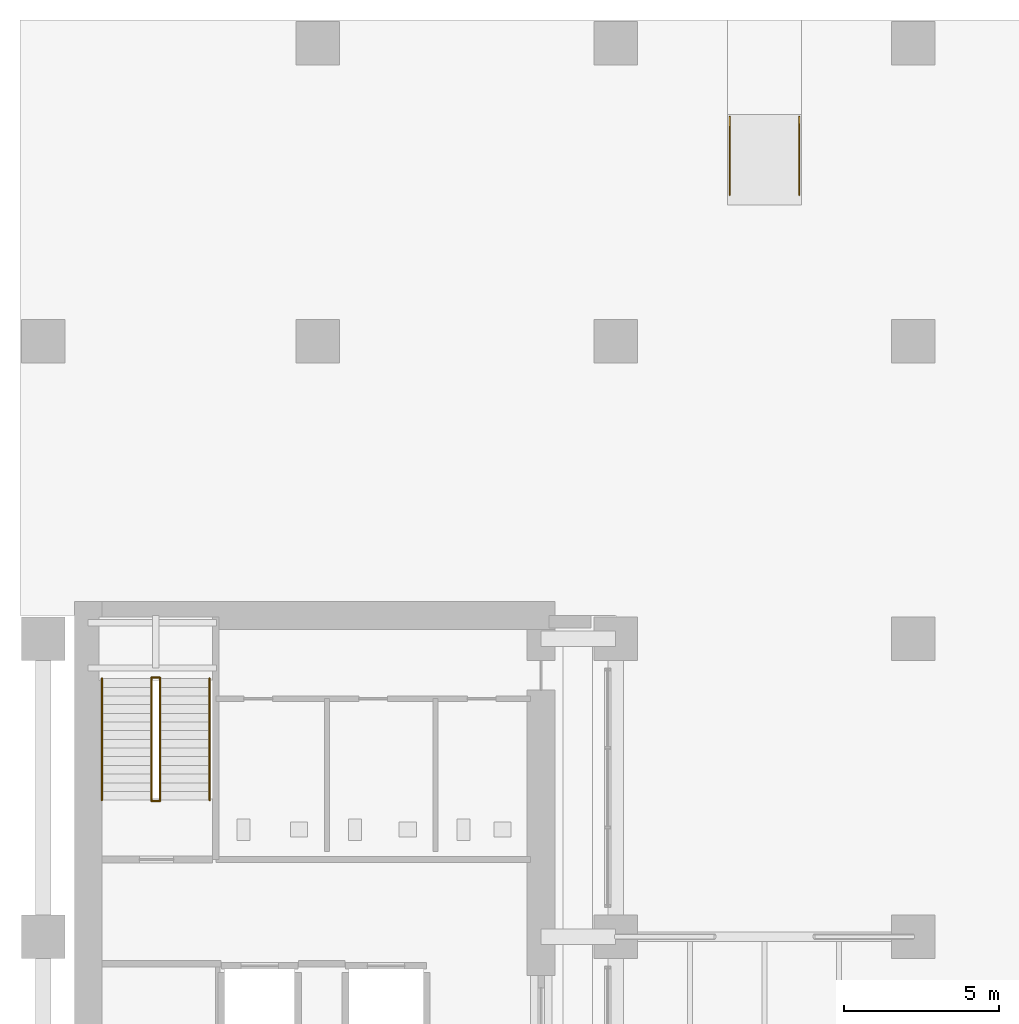
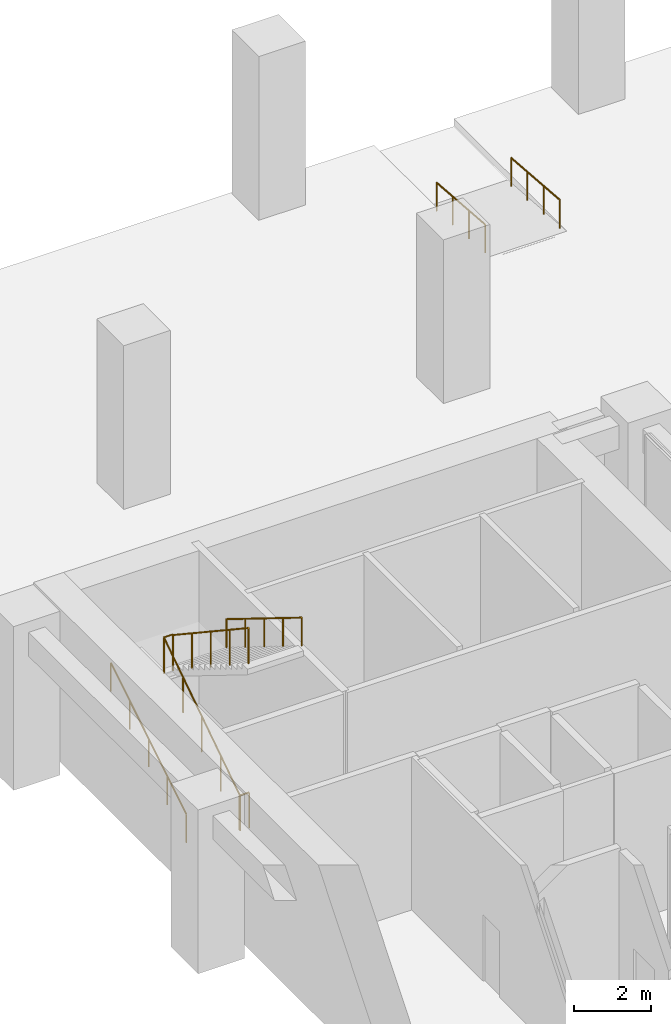
# One storey, part 19 of 24: 8 railings.
"""IFC4 building model written with IfcOpenShell, lengths in metres."""

from ifc_helpers import new_model, si_unit, direction, frame, origin, origin_2d, place, context, subcontext, project, spatial, circle, extrude, material, type_object, element, save


model = new_model("IFC4")

# Units and contexts
model_context = context("Model", 3, precision=1e-05, world=origin(), true_north=direction((0.0, 1.0)))
body_context = subcontext(model_context, "Body", "Model", "MODEL_VIEW")
ifc_project = project(units=[si_unit("LENGTHUNIT", "METRE"), si_unit("AREAUNIT", "SQUARE_METRE"), si_unit("VOLUMEUNIT", "CUBIC_METRE"), si_unit("PLANEANGLEUNIT", "RADIAN"), si_unit("MASSUNIT", "GRAM", prefix="KILO")], contexts=[model_context])

# Site, building, storey
site_placement = place(None, origin())
site = spatial("IfcSite", under=ifc_project, at=site_placement, CompositionType="ELEMENT")
building_placement = place(site_placement, origin())
building = spatial("IfcBuilding", under=site, at=building_placement, Name="Norrvale University Quadrangle", CompositionType="ELEMENT")
storey_placement = place(building_placement, origin())
storey = spatial("IfcBuildingStorey", under=building, at=storey_placement, Name="L00", CompositionType="ELEMENT", Elevation=0.0)

# Railings
ifc_material_1 = material(Name="Steel 350W Painted Balustrade", Category="steel")
railing_type_1 = type_object("IfcRailingType", Name="Railing Stair Guard 1100", PredefinedType="GUARDRAIL", material=ifc_material_1)
for number, where, name in (
    (1, (4.239990234375, 42.02001953125, 0.0), "Stair Floor Well Guard ST-02 L00"),
    (2, (4.239990234375, 46.0, 2.60009765625), "Stair Mid-Landing Slot Guard ST-02 L00"),
):
    element("IfcRailing", number, at=place(storey_placement, frame(where)), inside=storey, type_object=railing_type_1, Name=name, PredefinedType="GUARDRAIL", context=body_context, shape_type="SweptSolid", body=[
        extrude(circle(Radius=0.02392578125, at=origin_2d()), frame((0.0, 0.0, 1.1259765625), z_axis=(1.0, 0.0, 0.0), x_axis=(0.0, 1.0, 0.0)), (0.0, 0.0, 1.0), 0.27001953125),
        extrude(circle(Radius=0.02099609375, at=origin_2d()), origin(), (0.0, 0.0, 1.0), 1.101806640625),
        extrude(circle(Radius=0.02099609375, at=origin_2d()), frame((0.27001953125, 0.0, 0.0)), (0.0, 0.0, 1.0), 1.101806640625),
    ])
railing_1_placement = place(storey_placement, frame((4.239990234375, 42.050048828125, 0.0)))
element("IfcRailing", 3, at=railing_1_placement, inside=storey, type_object=railing_type_1, Name="Stair Lower Flight Inner Guard ST-02 L00", PredefinedType="GUARDRAIL", context=body_context, shape_type="SweptSolid", body=[
    extrude(circle(Radius=0.02392578125, at=origin_2d()), frame((0.0, 0.0, 1.1259765625), z_axis=(0.0, 0.833341594215, 0.552758344444), x_axis=(-1.0, 0.0, 0.0)), (0.0, 0.0, 1.0), 4.703857421875),
    extrude(circle(Radius=0.02099609375, at=origin_2d()), origin(), (0.0, 0.0, 1.0), 1.101806640625),
    extrude(circle(Radius=0.02099609375, at=origin_2d()), frame((0.0, 0.97998046875, 0.64990234375)), (0.0, 0.0, 1.0), 1.101806640625),
    extrude(circle(Radius=0.02099609375, at=origin_2d()), frame((0.0, 1.9599609375, 1.300048828125)), (0.0, 0.0, 1.0), 1.101806640625),
    extrude(circle(Radius=0.02099609375, at=origin_2d()), frame((0.0, 2.93994140625, 1.9501953125)), (0.0, 0.0, 1.0), 1.101806640625),
    extrude(circle(Radius=0.02099609375, at=origin_2d()), frame((0.0, 3.919921875, 2.60009765625)), (0.0, 0.0, 1.0), 1.101806640625),
])
railing_2_placement = place(storey_placement, frame((4.510009765625, 45.969970703125, 2.60009765625)))
element("IfcRailing", 4, at=railing_2_placement, inside=storey, type_object=railing_type_1, Name="Stair Upper Flight Inner Guard ST-02 L00", PredefinedType="GUARDRAIL", context=body_context, shape_type="SweptSolid", body=[
    extrude(circle(Radius=0.02392578125, at=origin_2d()), frame((0.0, 0.0, 1.1259765625), z_axis=(0.0, -0.833365502166, 0.552722298989), x_axis=(1.0, 0.0, 0.0)), (0.0, 0.0, 1.0), 4.70361328125),
    extrude(circle(Radius=0.02099609375, at=origin_2d()), origin(), (0.0, 0.0, 1.0), 1.101806640625),
    extrude(circle(Radius=0.02099609375, at=origin_2d()), frame((0.0, -0.97998046875, 0.64990234375)), (0.0, 0.0, 1.0), 1.101806640625),
    extrude(circle(Radius=0.02099609375, at=origin_2d()), frame((0.0, -1.9599609375, 1.2998046875)), (0.0, 0.0, 1.0), 1.101806640625),
    extrude(circle(Radius=0.02099609375, at=origin_2d()), frame((0.0, -2.93994140625, 1.949951171875)), (0.0, 0.0, 1.0), 1.101806640625),
    extrude(circle(Radius=0.02099609375, at=origin_2d()), frame((0.0, -3.919921875, 2.599853515625)), (0.0, 0.0, 1.0), 1.101806640625),
])
ifc_material_2 = material(Name="Stainless Steel 316L Handrail", Category="steel")
railing_type_2 = type_object("IfcRailingType", Name="Railing Stair Handrail 920", PredefinedType="HANDRAIL", material=ifc_material_2)
for number, where, name in (
    (5, (25.1201171875, 64.080078125, -0.219970703125), "Accessible Plaza Ramp Handrail N1-L"),
    (6, (22.8798828125, 64.080078125, -0.219970703125), "Accessible Plaza Ramp Handrail N1-R"),
):
    element("IfcRailing", number, at=place(storey_placement, frame(where)), inside=storey, type_object=railing_type_2, Name=name, PredefinedType="HANDRAIL", context=body_context, shape_type="SweptSolid", body=[
        extrude(circle(Radius=0.02392578125, at=origin_2d()), frame((0.0, 0.0, 0.89599609375), z_axis=(0.0, -0.996866964112, 0.079096497152), x_axis=(1.0, 0.0, 0.0)), (0.0, 0.0, 1.0), 2.52783203125),
        extrude(circle(Radius=0.02099609375, at=origin_2d()), origin(), (0.0, 0.0, 1.0), 0.871826171875),
        extrude(circle(Radius=0.02099609375, at=origin_2d()), frame((0.0, -0.840087890625, 0.066650390625)), (0.0, 0.0, 1.0), 0.871826171875),
        extrude(circle(Radius=0.02099609375, at=origin_2d()), frame((0.0, -1.679931640625, 0.13330078125)), (0.0, 0.0, 1.0), 0.871826171875),
        extrude(circle(Radius=0.02099609375, at=origin_2d()), frame((0.0, -2.52001953125, 0.199951171875)), (0.0, 0.0, 1.0), 0.871826171875),
    ])
railing_3_placement = place(storey_placement, frame((2.639892578125, 42.050048828125, 0.17333984375)))
element("IfcRailing", 7, at=railing_3_placement, inside=storey, type_object=railing_type_2, Name="Stair Lower Flight Handrail ST-02 L00", PredefinedType="HANDRAIL", context=body_context, shape_type="SweptSolid", body=[
    extrude(circle(Radius=0.02392578125, at=origin_2d()), frame((0.0, 0.0, 0.89599609375), z_axis=(0.0, 0.850251603719, 0.526376491091), x_axis=(-1.0, 0.0, 0.0)), (0.0, 0.0, 1.0), 4.6103515625),
    extrude(circle(Radius=0.02099609375, at=origin_2d()), origin(), (0.0, 0.0, 1.0), 0.871826171875),
    extrude(circle(Radius=0.02099609375, at=origin_2d()), frame((0.0, 0.97998046875, 0.606689453125)), (0.0, 0.0, 1.0), 0.871826171875),
    extrude(circle(Radius=0.02099609375, at=origin_2d()), frame((0.0, 1.9599609375, 1.21337890625)), (0.0, 0.0, 1.0), 0.871826171875),
    extrude(circle(Radius=0.02099609375, at=origin_2d()), frame((0.0, 2.93994140625, 1.820068359375)), (0.0, 0.0, 1.0), 0.871826171875),
    extrude(circle(Radius=0.02099609375, at=origin_2d()), frame((0.0, 3.919921875, 2.4267578125)), (0.0, 0.0, 1.0), 0.871826171875),
])
railing_4_placement = place(storey_placement, frame((6.110107421875, 45.969970703125, 2.773193359375)))
element("IfcRailing", 8, at=railing_4_placement, inside=storey, type_object=railing_type_2, Name="Stair Upper Flight Handrail ST-02 L00", PredefinedType="HANDRAIL", context=body_context, shape_type="SweptSolid", body=[
    extrude(circle(Radius=0.02392578125, at=origin_2d()), frame((0.0, 0.0, 0.89599609375), z_axis=(0.0, -0.850251603719, 0.526376491091), x_axis=(1.0, 0.0, 0.0)), (0.0, 0.0, 1.0), 4.6103515625),
    extrude(circle(Radius=0.02099609375, at=origin_2d()), origin(), (0.0, 0.0, 1.0), 0.871826171875),
    extrude(circle(Radius=0.02099609375, at=origin_2d()), frame((0.0, -0.97998046875, 0.606689453125)), (0.0, 0.0, 1.0), 0.871826171875),
    extrude(circle(Radius=0.02099609375, at=origin_2d()), frame((0.0, -1.9599609375, 1.21337890625)), (0.0, 0.0, 1.0), 0.871826171875),
    extrude(circle(Radius=0.02099609375, at=origin_2d()), frame((0.0, -2.93994140625, 1.820068359375)), (0.0, 0.0, 1.0), 0.871826171875),
    extrude(circle(Radius=0.02099609375, at=origin_2d()), frame((0.0, -3.919921875, 2.4267578125)), (0.0, 0.0, 1.0), 0.871826171875),
])

save(model, "model.ifc")
